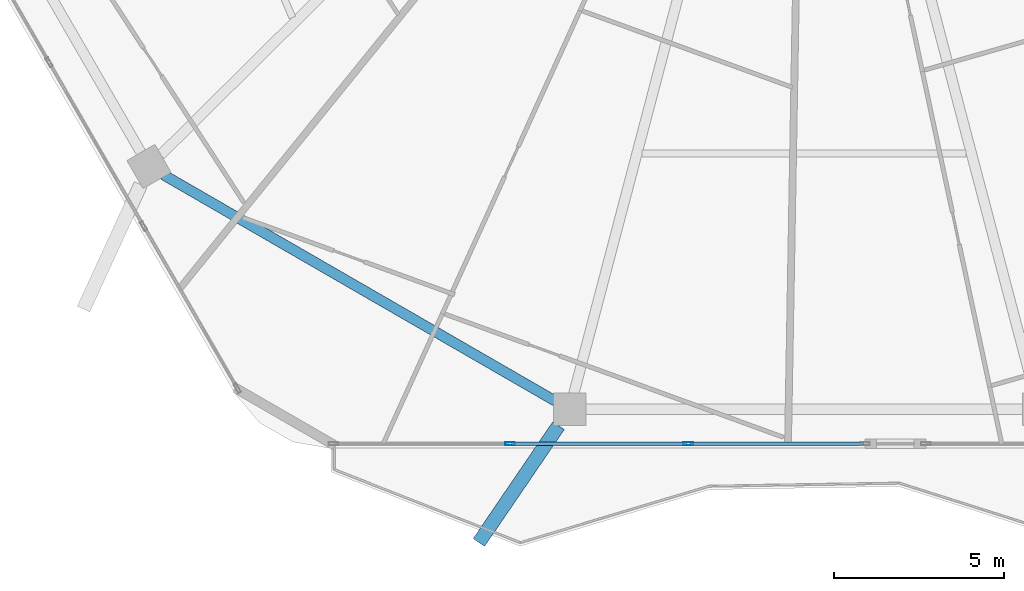
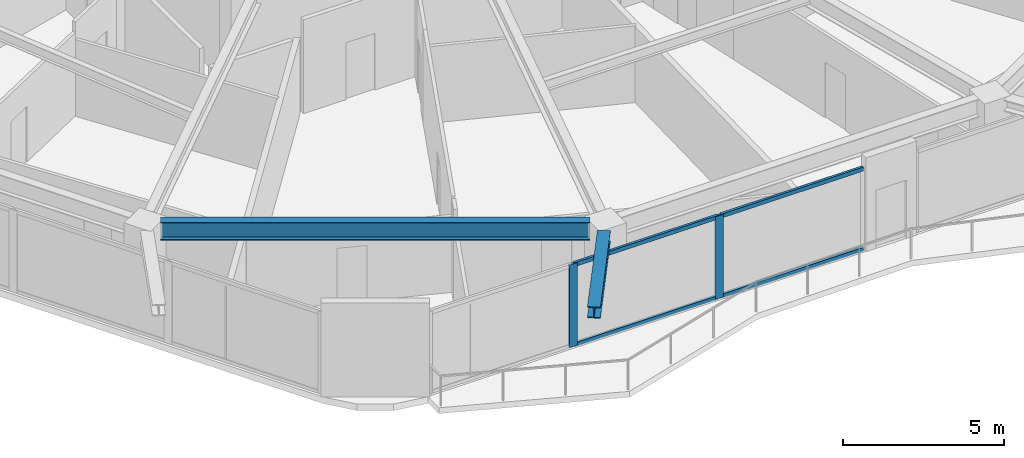
# One storey, part 3 of 27: 6 members, 2 beams, 1 element without a shape of its own.
"""IFC4 building model written with IfcOpenShell, lengths in metres."""

from ifc_helpers import new_model, si_unit, direction, frame, origin, origin_2d, place, context, subcontext, project, spatial, hollow_rectangle, i_section, extrude, material, material_profile, profile_set, type_object, element, aggregate, save


model = new_model("IFC4")

# Units and contexts
model_context = context("Model", 3, precision=1e-05, world=origin(), true_north=direction((0.0, 1.0)))
body_context = subcontext(model_context, "Body", "Model", "MODEL_VIEW")
ifc_project = project(units=[si_unit("LENGTHUNIT", "METRE"), si_unit("AREAUNIT", "SQUARE_METRE"), si_unit("VOLUMEUNIT", "CUBIC_METRE"), si_unit("PLANEANGLEUNIT", "RADIAN"), si_unit("MASSUNIT", "GRAM", prefix="KILO")], contexts=[model_context])

# Site, building, storey
site_placement = place(None, origin())
site = spatial("IfcSite", under=ifc_project, at=site_placement, CompositionType="ELEMENT")
building_placement = place(site_placement, origin())
building = spatial("IfcBuilding", under=site, at=building_placement, Name="Zuhravey Tower", CompositionType="ELEMENT")
storey_placement = place(building_placement, frame((0.0, 0.0, 218.800048828125)))
storey = spatial("IfcBuildingStorey", under=building, at=storey_placement, Name="L55", CompositionType="ELEMENT", Elevation=218.800048828125)

# Curtain wall, members
ifc_material_1 = material(Name="Thermally broken anodised aluminium", Category="aluminium")
curtain_wall_type = type_object("IfcCurtainWallType", Name="Zone 1-2 Residential Curtain Wall CW3", PredefinedType="NOTDEFINED", material=ifc_material_1)
curtain_wall_placement = place(storey_placement, origin())
curtain_wall = element("IfcCurtainWall", 1, at=curtain_wall_placement, inside=storey, type_object=curtain_wall_type, Name="L55 CW3 CW-L55-F5-2", PredefinedType="NOTDEFINED")
ifc_material_2 = material(Name="Anodised aluminium", Category="aluminium")
ifc_material_profile_1 = material_profile(ifc_material_2, hollow_rectangle(XDim=0.090087890625, YDim=0.284912109375, WallThickness=0.0048828125, at=origin_2d()), Name="ALU-RHS-90x285x5")
ifc_profile_set_1 = profile_set([ifc_material_profile_1], Name="Anodised aluminium")
member_type_1 = type_object("IfcMemberType", Name="Curtain-Wall Mullion 90x180", PredefinedType="MULLION", material=ifc_profile_set_1)
member_1_placement = place(storey_placement, frame((32.5986328125, 4.81689453125, 0.0), z_axis=(0.0, 0.0, 1.0), x_axis=(0.0, -1.0, 0.0)))
member_1 = element("IfcMember", 2, at=member_1_placement, type_object=member_type_1, Name="CW3 mullion 2", PredefinedType="MULLION", context=body_context, shape_type="SweptSolid", body=[
    extrude(hollow_rectangle(XDim=0.090087890625, YDim=0.284912109375, WallThickness=0.0048828125, at=origin_2d()), origin(), (0.0, 0.0, 1.0), 3.1220703125),
])
member_2_placement = place(storey_placement, frame((27.368896484375, 4.81689453125, 0.0), z_axis=(0.0, 0.0, 1.0), x_axis=(0.0, -1.0, 0.0)))
member_2 = element("IfcMember", 3, at=member_2_placement, type_object=member_type_1, Name="CW3 mullion 3", PredefinedType="MULLION", context=body_context, shape_type="SweptSolid", body=[
    extrude(hollow_rectangle(XDim=0.090087890625, YDim=0.284912109375, WallThickness=0.0048828125, at=origin_2d()), origin(), (0.0, 0.0, 1.0), 3.1220703125),
])
ifc_material_profile_2 = material_profile(ifc_material_2, hollow_rectangle(XDim=0.090087890625, YDim=0.14990234375, WallThickness=0.0048828125, at=origin_2d()), Name="ALU-RHS-90x150x5")
ifc_profile_set_2 = profile_set([ifc_material_profile_2], Name="Anodised aluminium")
member_type_2 = type_object("IfcMemberType", Name="Curtain-Wall Transom 90x150", PredefinedType="USERDEFINED", material=ifc_profile_set_2)
member_3_placement = place(storey_placement, frame((37.738525390625, 4.81689453125, 0.044921875), z_axis=(-1.0, 0.0, 0.0), x_axis=(0.0, -1.0, 0.0)))
member_3 = element("IfcMember", 4, at=member_3_placement, type_object=member_type_2, Name="CW3 transom 1.1", ObjectType="TRANSOM", PredefinedType="USERDEFINED", context=body_context, shape_type="SweptSolid", body=[
    extrude(hollow_rectangle(XDim=0.090087890625, YDim=0.14990234375, WallThickness=0.0048828125, at=origin_2d()), origin(), (0.0, 0.0, 1.0), 5.0947265625),
])
member_4_placement = place(storey_placement, frame((37.738525390625, 4.81689453125, 3.076904296875), z_axis=(-1.0, 0.0, 0.0), x_axis=(0.0, -1.0, 0.0)))
member_4 = element("IfcMember", 5, at=member_4_placement, type_object=member_type_2, Name="CW3 transom 1.2", ObjectType="TRANSOM", PredefinedType="USERDEFINED", context=body_context, shape_type="SweptSolid", body=[
    extrude(hollow_rectangle(XDim=0.090087890625, YDim=0.14990234375, WallThickness=0.0048828125, at=origin_2d()), origin(), (0.0, 0.0, 1.0), 5.0947265625),
])
member_5_placement = place(storey_placement, frame((32.5537109375, 4.81689453125, 0.044921875), z_axis=(-1.0, 0.0, 0.0), x_axis=(0.0, -1.0, 0.0)))
member_5 = element("IfcMember", 6, at=member_5_placement, type_object=member_type_2, Name="CW3 transom 2.1", ObjectType="TRANSOM", PredefinedType="USERDEFINED", context=body_context, shape_type="SweptSolid", body=[
    extrude(hollow_rectangle(XDim=0.090087890625, YDim=0.14990234375, WallThickness=0.0048828125, at=origin_2d()), origin(), (0.0, 0.0, 1.0), 5.139892578125),
])
member_6_placement = place(storey_placement, frame((32.5537109375, 4.81689453125, 3.076904296875), z_axis=(-1.0, 0.0, 0.0), x_axis=(0.0, -1.0, 0.0)))
member_6 = element("IfcMember", 7, at=member_6_placement, type_object=member_type_2, Name="CW3 transom 2.2", ObjectType="TRANSOM", PredefinedType="USERDEFINED", context=body_context, shape_type="SweptSolid", body=[
    extrude(hollow_rectangle(XDim=0.090087890625, YDim=0.14990234375, WallThickness=0.0048828125, at=origin_2d()), origin(), (0.0, 0.0, 1.0), 5.139892578125),
])
aggregate(curtain_wall, [member_1, member_2, member_3, member_4, member_5, member_6])

# Beams
ifc_material_3 = material(Name="Steel SM460", Category="steel")
ifc_material_profile_3 = material_profile(ifc_material_3, i_section(OverallWidth=0.406982421875, OverallDepth=0.427978515625, WebThickness=0.02001953125, FlangeThickness=0.034912109375, at=origin_2d()), Name="H-428x407x20x35")
ifc_profile_set_3 = profile_set([ifc_material_profile_3], Name="Steel SM460")
beam_type_1 = type_object("IfcBeamType", Name="Exoskeleton Node Tie Beam H428x407", PredefinedType="BEAM", material=ifc_profile_set_3)
beam_1_placement = place(storey_placement, frame((28.791748046875, 5.3486328125, 3.3359375), z_axis=(-0.563356900509, -0.826213654359, 0.0), x_axis=(0.826213654359, -0.563356900509, 0.0)))
element("IfcBeam", 8, at=beam_1_placement, inside=storey, type_object=beam_type_1, Name="L55 Exoskeleton Node Tie NT1-09", PredefinedType="BEAM", context=body_context, shape_type="SweptSolid", body=[
    extrude(i_section(OverallWidth=0.406982421875, OverallDepth=0.427978515625, WebThickness=0.02001953125, FlangeThickness=0.034912109375, at=origin_2d()), origin(), (0.0, 0.0, 1.0), 4.15087890625),
])
ifc_material_4 = material(Name="Steel SM355", Category="steel")
ifc_material_profile_4 = material_profile(ifc_material_4, i_section(OverallWidth=0.300048828125, OverallDepth=0.679931640625, WebThickness=0.012939453125, FlangeThickness=0.02197265625, at=origin_2d()), Name="H-680x300x13x22")
ifc_profile_set_4 = profile_set([ifc_material_profile_4], Name="Steel SM355")
beam_type_2 = type_object("IfcBeamType", Name="Perimeter Ring Beam H680x300", PredefinedType="BEAM", material=ifc_profile_set_4)
beam_2_placement = place(storey_placement, frame((17.1884765625, 12.71435546875, 3.2099609375), z_axis=(0.866029041019, -0.499993700073, 0.0), x_axis=(0.499993700073, 0.866029041019, 0.0)))
element("IfcBeam", 9, at=beam_2_placement, inside=storey, type_object=beam_type_2, Name="L55 PB2 BM-L55-PB-08", PredefinedType="BEAM", context=body_context, shape_type="SweptSolid", body=[
    extrude(i_section(OverallWidth=0.300048828125, OverallDepth=0.679931640625, WebThickness=0.012939453125, FlangeThickness=0.02197265625, at=origin_2d()), origin(), (0.0, 0.0, 1.0), 13.297119140625),
])

save(model, "model.ifc")
